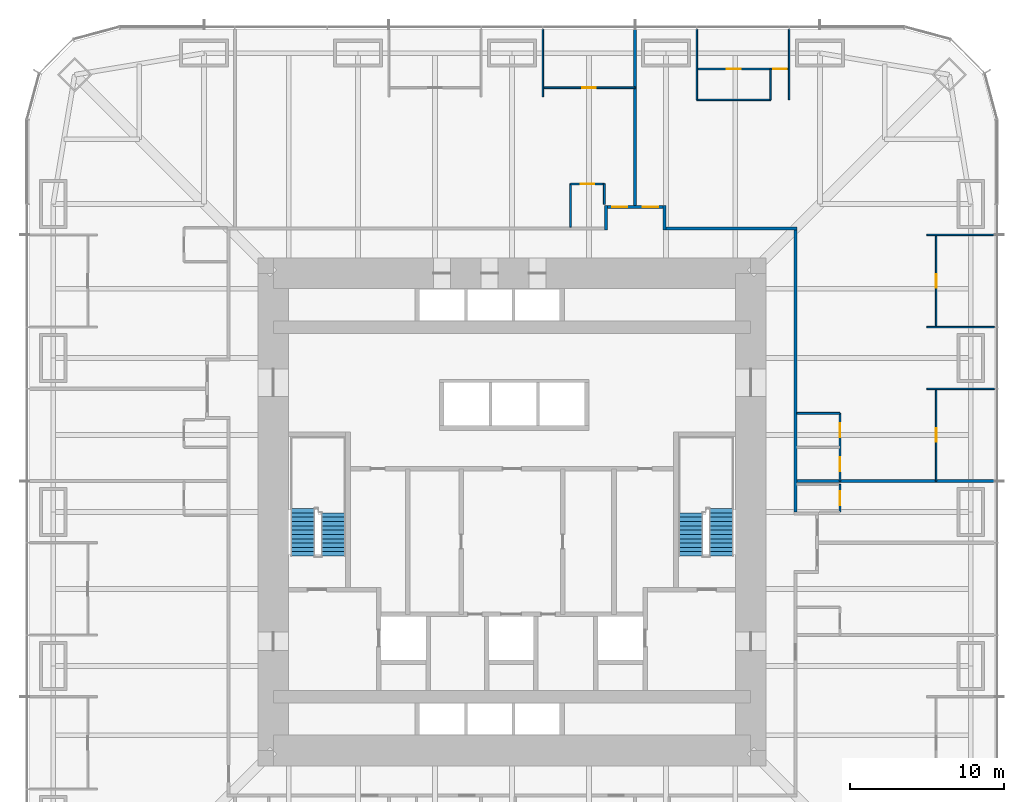
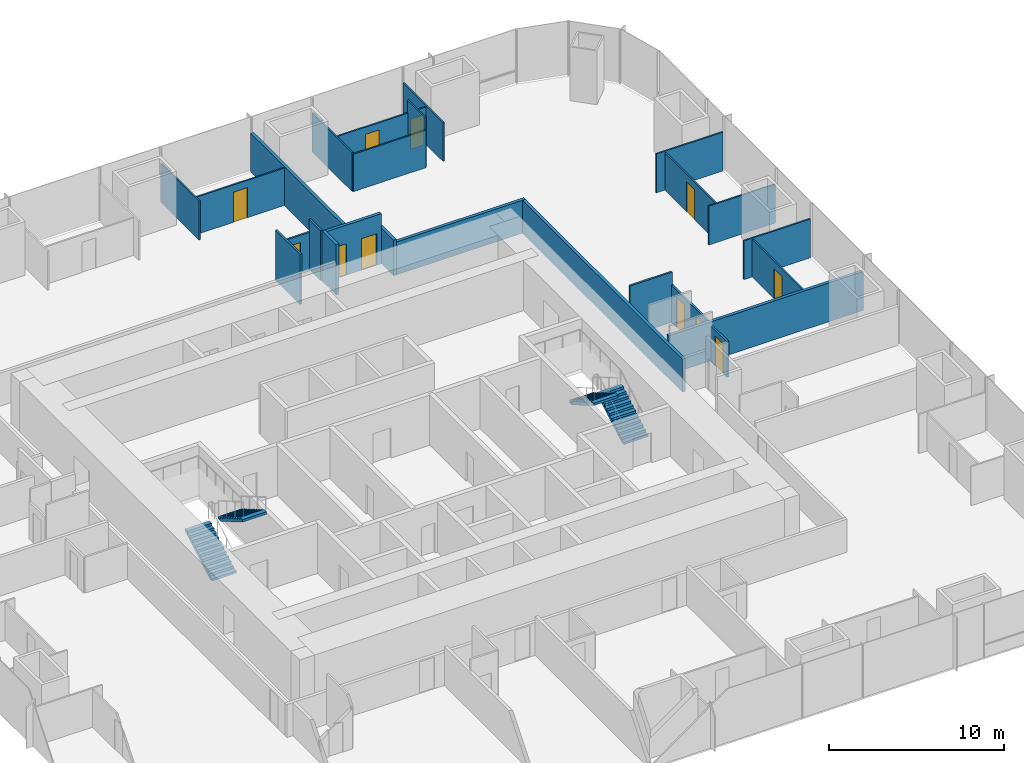
# One storey, part 15 of 16: 25 walls, 11 doors, 4 stair flights, 11 openings, 2 elements without a shape of their own.
"""IFC4 building model written with IfcOpenShell, lengths in metres."""

from ifc_helpers import new_model, si_unit, direction, frame, frame_2d, origin, place, context, subcontext, project, spatial, polyline, rectangle, outline, extrude, material, layer, layer_set, type_object, element, fill, aggregate, save


model = new_model("IFC4")

# Units and contexts
model_context = context("Model", 3, precision=1e-05, world=origin(), true_north=direction((0.0, 1.0)))
body_context = subcontext(model_context, "Body", "Model", "MODEL_VIEW")
ifc_project = project(units=[si_unit("LENGTHUNIT", "METRE"), si_unit("AREAUNIT", "SQUARE_METRE"), si_unit("VOLUMEUNIT", "CUBIC_METRE"), si_unit("PLANEANGLEUNIT", "RADIAN"), si_unit("MASSUNIT", "GRAM", prefix="KILO")], contexts=[model_context])

# Site, building, storey
site_placement = place(None, origin())
site = spatial("IfcSite", under=ifc_project, at=site_placement, CompositionType="ELEMENT")
building_placement = place(site_placement, origin())
building = spatial("IfcBuilding", under=site, at=building_placement, Name="Khuree Lantern Residences", CompositionType="ELEMENT")
storey_placement = place(building_placement, frame((0.0, 0.0, 62.25)))
storey = spatial("IfcBuildingStorey", under=building, at=storey_placement, Name="L15", CompositionType="ELEMENT", Elevation=62.25)

# Wall, opening, door
ifc_material_1 = material(Name="Moisture-resistant gypsum board on steel studs", Category="steel")
ifc_layer_1 = layer(ifc_material_1, 0.125)
ifc_layer_set_1 = layer_set([ifc_layer_1], Name="BATHROOM WALL BTW125")
wall_type_1 = type_object("IfcWallType", Name="BATHROOM WALL BTW125", PredefinedType="PARTITIONING", material=ifc_layer_set_1)
wall_1_placement = place(storey_placement, frame((21.300048828125, 0.0, 0.0), z_axis=(0.0, 0.0, 1.0), x_axis=(0.0, 1.0, 0.0)))
wall_1 = element("IfcWall", 1, at=wall_1_placement, inside=storey, type_object=wall_type_1, Name="L15 BATHROOM WALL 02", PredefinedType="PARTITIONING", context=body_context, shape_type="SweptSolid", body=[
    extrude(rectangle(XDim=1.800048828125, YDim=0.125, at=frame_2d((0.89990234375, 0.0))), origin(), (0.0, 0.0, 1.0), 2.491943359375),
])
opening_1_placement = place(wall_1_placement, frame((0.449951171875, 0.0, 0.0)))
opening_1 = element("IfcOpeningElement", 2, at=opening_1_placement, cuts=wall_1, Name="Opening 15-022", PredefinedType="OPENING", context=body_context, shape_type="SweptSolid", body=[
    extrude(rectangle(XDim=0.89990234375, YDim=2.10009765625, at=frame_2d((0.449951171875, 1.050048828125))), frame((0.0, 0.072509765625, 0.0), z_axis=(0.0, -1.0, 0.0), x_axis=(1.0, 0.0, 0.0)), (0.0, 0.0, 1.0), 0.14501953125),
])
ifc_material_2 = material(Name="Timber door leaf in hardwood frame", Category="wood")
door_type_1 = type_object("IfcDoorType", Name="BATHROOM DOOR 900X2100", OperationType="SINGLE_SWING_LEFT", PredefinedType="DOOR", material=ifc_material_2)
door_1_placement = place(opening_1_placement, origin())
door_1 = element("IfcDoor", 3, at=door_1_placement, inside=storey, type_object=door_type_1, Name="Bathroom door 15-022", OperationType="SINGLE_SWING_LEFT", OverallHeight=2.10009765625, OverallWidth=0.89990234375, PredefinedType="DOOR", context=body_context, shape_type="SweptSolid", body=[
    extrude(rectangle(XDim=0.89990234375, YDim=2.10009765625, at=frame_2d((0.449951171875, 1.050048828125))), frame((0.0, 0.02490234375, 0.0), z_axis=(0.0, -1.0, 0.0), x_axis=(1.0, 0.0, 0.0)), (0.0, 0.0, 1.0), 0.050048828125),
])
fill(opening_1, door_1)

# Wall, openings, doors
wall_2_placement = place(storey_placement, frame((21.300048828125, 2.0, 0.0), z_axis=(0.0, 0.0, 1.0), x_axis=(0.0, 1.0, 0.0)))
wall_2 = element("IfcWall", 4, at=wall_2_placement, inside=storey, type_object=wall_type_1, Name="L15 BATHROOM WALL 03", PredefinedType="PARTITIONING", context=body_context, shape_type="SweptSolid", body=[
    extrude(rectangle(XDim=4.39990234375, YDim=0.125, at=frame_2d((2.199951171875, 0.0))), origin(), (0.0, 0.0, 1.0), 2.610107421875),
])
opening_2_placement = place(wall_2_placement, frame((0.64990234375, 0.0, 0.0)))
opening_2 = element("IfcOpeningElement", 5, at=opening_2_placement, cuts=wall_2, Name="Opening 15-028", PredefinedType="OPENING", context=body_context, shape_type="SweptSolid", body=[
    extrude(rectangle(XDim=0.89990234375, YDim=2.10009765625, at=frame_2d((0.449951171875, 1.050048828125))), frame((0.0, 0.072509765625, 0.0), z_axis=(0.0, -1.0, 0.0), x_axis=(1.0, 0.0, 0.0)), (0.0, 0.0, 1.0), 0.14501953125),
])
opening_3_placement = place(wall_2_placement, frame((2.85009765625, 0.0, 0.0)))
opening_3 = element("IfcOpeningElement", 6, at=opening_3_placement, cuts=wall_2, Name="Opening 15-029", PredefinedType="OPENING", context=body_context, shape_type="SweptSolid", body=[
    extrude(rectangle(XDim=0.89990234375, YDim=2.10009765625, at=frame_2d((0.449951171875, 1.050048828125))), frame((0.0, 0.072509765625, 0.0), z_axis=(0.0, -1.0, 0.0), x_axis=(1.0, 0.0, 0.0)), (0.0, 0.0, 1.0), 0.14501953125),
])
door_2_placement = place(opening_2_placement, origin())
door_2 = element("IfcDoor", 7, at=door_2_placement, inside=storey, type_object=door_type_1, Name="Bathroom door 15-028", OperationType="SINGLE_SWING_LEFT", OverallHeight=2.10009765625, OverallWidth=0.89990234375, PredefinedType="DOOR", context=body_context, shape_type="SweptSolid", body=[
    extrude(rectangle(XDim=0.89990234375, YDim=2.10009765625, at=frame_2d((0.449951171875, 1.050048828125))), frame((0.0, 0.02490234375, 0.0), z_axis=(0.0, -1.0, 0.0), x_axis=(1.0, 0.0, 0.0)), (0.0, 0.0, 1.0), 0.050048828125),
])
fill(opening_2, door_2)
door_3_placement = place(opening_3_placement, origin())
door_3 = element("IfcDoor", 8, at=door_3_placement, inside=storey, type_object=door_type_1, Name="Bathroom door 15-029", OperationType="SINGLE_SWING_LEFT", OverallHeight=2.10009765625, OverallWidth=0.89990234375, PredefinedType="DOOR", context=body_context, shape_type="SweptSolid", body=[
    extrude(rectangle(XDim=0.89990234375, YDim=2.10009765625, at=frame_2d((0.449951171875, 1.050048828125))), frame((0.0, 0.02490234375, 0.0), z_axis=(0.0, -1.0, 0.0), x_axis=(1.0, 0.0, 0.0)), (0.0, 0.0, 1.0), 0.050048828125),
])
fill(opening_3, door_3)

# Wall
wall_3_placement = place(storey_placement, frame((18.5, 6.39990234375, 0.0), z_axis=(0.0, 0.0, 1.0), x_axis=(1.0, 0.0, 0.0)))
element("IfcWall", 9, at=wall_3_placement, inside=storey, type_object=wall_type_1, Name="L15 BATHROOM WALL 03", PredefinedType="PARTITIONING", context=body_context, shape_type="SweptSolid", body=[
    extrude(rectangle(XDim=2.800048828125, YDim=0.125, at=frame_2d((1.39990234375, 0.0))), origin(), (0.0, 0.0, 1.0), 3.5),
])

# Wall, opening, door
wall_4_placement = place(storey_placement, frame((6.0, 21.300048828125, 0.0), z_axis=(0.0, 0.0, 1.0), x_axis=(-1.0, 0.0, 0.0)))
wall_4 = element("IfcWall", 10, at=wall_4_placement, inside=storey, type_object=wall_type_1, Name="L15 BATHROOM WALL 04", PredefinedType="PARTITIONING", context=body_context, shape_type="SweptSolid", body=[
    extrude(rectangle(XDim=2.199951171875, YDim=0.125, at=frame_2d((1.10009765625, 0.0))), origin(), (0.0, 0.0, 1.0), 2.610107421875),
])
opening_4_placement = place(wall_4_placement, frame((0.64990234375, 0.0, 0.0)))
opening_4 = element("IfcOpeningElement", 11, at=opening_4_placement, cuts=wall_4, Name="Opening 15-033", PredefinedType="OPENING", context=body_context, shape_type="SweptSolid", body=[
    extrude(rectangle(XDim=0.89990234375, YDim=2.10009765625, at=frame_2d((0.449951171875, 1.050048828125))), frame((0.0, 0.072509765625, 0.0), z_axis=(0.0, -1.0, 0.0), x_axis=(1.0, 0.0, 0.0)), (0.0, 0.0, 1.0), 0.14501953125),
])
door_4_placement = place(opening_4_placement, origin())
door_4 = element("IfcDoor", 12, at=door_4_placement, inside=storey, type_object=door_type_1, Name="Bathroom door 15-033", OperationType="SINGLE_SWING_LEFT", OverallHeight=2.10009765625, OverallWidth=0.89990234375, PredefinedType="DOOR", context=body_context, shape_type="SweptSolid", body=[
    extrude(rectangle(XDim=0.89990234375, YDim=2.10009765625, at=frame_2d((0.449951171875, 1.050048828125))), frame((0.0, 0.02490234375, 0.0), z_axis=(0.0, -1.0, 0.0), x_axis=(1.0, 0.0, 0.0)), (0.0, 0.0, 1.0), 0.050048828125),
])
fill(opening_4, door_4)

# Walls
wall_5_placement = place(storey_placement, frame((6.0, 19.969970703125, 0.0), z_axis=(0.0, 0.0, 1.0), x_axis=(0.0, 1.0, 0.0)))
element("IfcWall", 13, at=wall_5_placement, inside=storey, type_object=wall_type_1, Name="L15 BATHROOM WALL 04", PredefinedType="PARTITIONING", context=body_context, shape_type="SweptSolid", body=[
    extrude(rectangle(XDim=1.330078125, YDim=0.125, at=frame_2d((0.6650390625, 0.0))), origin(), (0.0, 0.0, 1.0), 3.5),
])
wall_6_placement = place(storey_placement, frame((3.800048828125, 18.5, 0.0), z_axis=(0.0, 0.0, 1.0), x_axis=(0.0, 1.0, 0.0)))
element("IfcWall", 14, at=wall_6_placement, inside=storey, type_object=wall_type_1, Name="L15 BATHROOM WALL 04", PredefinedType="PARTITIONING", context=body_context, shape_type="SweptSolid", body=[
    extrude(rectangle(XDim=2.800048828125, YDim=0.125, at=frame_2d((1.39990234375, 0.0))), origin(), (0.0, 0.0, 1.0), 3.5),
])
ifc_material_3 = material(Name="Gypsum board on steel studs", Category="steel")
ifc_layer_2 = layer(ifc_material_3, 0.199951171875)
ifc_layer_set_2 = layer_set([ifc_layer_2], Name="CORRIDOR WALL CRW200 EI 60")
wall_type_2 = type_object("IfcWallType", Name="CORRIDOR WALL CRW200 EI 60", PredefinedType="PARTITIONING", material=ifc_layer_set_2)
wall_7_placement = place(storey_placement, frame((18.39990234375, 0.0, 0.0), z_axis=(0.0, 0.0, 1.0), x_axis=(0.0, 1.0, 0.0)))
element("IfcWall", 15, at=wall_7_placement, inside=storey, type_object=wall_type_2, Name="L15 CORRIDOR WALL EAST 2", PredefinedType="PARTITIONING", context=body_context, shape_type="SweptSolid", body=[
    extrude(rectangle(XDim=18.300048828125, YDim=0.199951171875, at=frame_2d((9.14990234375, 0.0))), origin(), (0.0, 0.0, 1.0), 2.300048828125),
])
wall_8_placement = place(storey_placement, frame((6.10009765625, 18.300048828125, 0.0), z_axis=(0.0, 0.0, 1.0), x_axis=(0.0, 1.0, 0.0)))
element("IfcWall", 16, at=wall_8_placement, inside=storey, type_object=wall_type_2, Name="L15 CORRIDOR ALCOVE WALL NORTH", PredefinedType="PARTITIONING", context=body_context, shape_type="SweptSolid", body=[
    extrude(rectangle(XDim=1.599853515625, YDim=0.199951171875, at=frame_2d((0.7998046875, 0.0))), origin(), (0.0, 0.0, 1.0), 3.5),
])
wall_9_placement = place(storey_placement, frame((9.89990234375, 18.300048828125, 0.0), z_axis=(0.0, 0.0, 1.0), x_axis=(0.0, 1.0, 0.0)))
element("IfcWall", 17, at=wall_9_placement, inside=storey, type_object=wall_type_2, Name="L15 CORRIDOR ALCOVE WALL NORTH", PredefinedType="PARTITIONING", context=body_context, shape_type="SweptSolid", body=[
    extrude(rectangle(XDim=1.599853515625, YDim=0.199951171875, at=frame_2d((0.7998046875, 0.0))), origin(), (0.0, 0.0, 1.0), 2.491943359375),
])

# Wall, openings, doors
wall_10_placement = place(storey_placement, frame((6.199951171875, 19.800048828125, 0.0), z_axis=(0.0, 0.0, 1.0), x_axis=(1.0, 0.0, 0.0)))
wall_10 = element("IfcWall", 18, at=wall_10_placement, inside=storey, type_object=wall_type_2, Name="L15 CORRIDOR ALCOVE WALL NORTH", PredefinedType="PARTITIONING", context=body_context, shape_type="SweptSolid", body=[
    extrude(rectangle(XDim=3.60009765625, YDim=0.199951171875, at=frame_2d((1.800048828125, 0.0))), origin(), (0.0, 0.0, 1.0), 3.5),
])
opening_5_placement = place(wall_10_placement, frame((2.300048828125, 0.0, 0.0)))
opening_5 = element("IfcOpeningElement", 19, at=opening_5_placement, cuts=wall_10, Name="Opening 15-030", PredefinedType="OPENING", context=body_context, shape_type="SweptSolid", body=[
    extrude(rectangle(XDim=1.0, YDim=2.199951171875, at=frame_2d((0.5, 1.10009765625))), frame((0.0, 0.10986328125, 0.0), z_axis=(0.0, -1.0, 0.0), x_axis=(1.0, 0.0, 0.0)), (0.0, 0.0, 1.0), 0.219970703125),
])
opening_6_placement = place(wall_10_placement, frame((0.300048828125, 0.0, 0.0)))
opening_6 = element("IfcOpeningElement", 20, at=opening_6_placement, cuts=wall_10, Name="Opening 15-034", PredefinedType="OPENING", context=body_context, shape_type="SweptSolid", body=[
    extrude(rectangle(XDim=1.0, YDim=2.199951171875, at=frame_2d((0.5, 1.10009765625))), frame((0.0, 0.10986328125, 0.0), z_axis=(0.0, -1.0, 0.0), x_axis=(1.0, 0.0, 0.0)), (0.0, 0.0, 1.0), 0.219970703125),
])
door_type_2 = type_object("IfcDoorType", Name="APARTMENT ENTRANCE DOOR 1000X2200 EI 30S", OperationType="SINGLE_SWING_LEFT", PredefinedType="DOOR", material=ifc_material_2)
door_5_placement = place(opening_5_placement, origin())
door_5 = element("IfcDoor", 21, at=door_5_placement, inside=storey, type_object=door_type_2, Name="Apartment 03 entrance door 15-030", OperationType="SINGLE_SWING_LEFT", OverallHeight=2.199951171875, OverallWidth=1.0, PredefinedType="DOOR", context=body_context, shape_type="SweptSolid", body=[
    extrude(rectangle(XDim=1.0, YDim=2.199951171875, at=frame_2d((0.5, 1.10009765625))), frame((0.0, 0.02490234375, 0.0), z_axis=(0.0, -1.0, 0.0), x_axis=(1.0, 0.0, 0.0)), (0.0, 0.0, 1.0), 0.050048828125),
])
fill(opening_5, door_5)
door_6_placement = place(opening_6_placement, origin())
door_6 = element("IfcDoor", 22, at=door_6_placement, inside=storey, type_object=door_type_2, Name="Apartment 04 entrance door 15-034", OperationType="SINGLE_SWING_LEFT", OverallHeight=2.199951171875, OverallWidth=1.0, PredefinedType="DOOR", context=body_context, shape_type="SweptSolid", body=[
    extrude(rectangle(XDim=1.0, YDim=2.199951171875, at=frame_2d((0.5, 1.10009765625))), frame((0.0, 0.02490234375, 0.0), z_axis=(0.0, -1.0, 0.0), x_axis=(1.0, 0.0, 0.0)), (0.0, 0.0, 1.0), 0.050048828125),
])
fill(opening_6, door_6)

# Walls
wall_11_placement = place(storey_placement, frame((10.0, 18.39990234375, 0.0), z_axis=(0.0, 0.0, 1.0), x_axis=(1.0, 0.0, 0.0)))
element("IfcWall", 23, at=wall_11_placement, inside=storey, type_object=wall_type_2, Name="L15 CORRIDOR WALL NORTH 2", PredefinedType="PARTITIONING", context=body_context, shape_type="SweptSolid", body=[
    extrude(rectangle(XDim=8.5, YDim=0.199951171875, at=frame_2d((4.25, 0.0))), origin(), (0.0, 0.0, 1.0), 2.300048828125),
])
ifc_layer_3 = layer(ifc_material_3, 0.199951171875)
ifc_layer_set_3 = layer_set([ifc_layer_3], Name="DEMISING WALL DMW200 EI 90")
wall_type_3 = type_object("IfcWallType", Name="DEMISING WALL DMW200 EI 90", PredefinedType="PARTITIONING", material=ifc_layer_set_3)
wall_12_placement = place(storey_placement, frame((18.5, 2.0, 0.0), z_axis=(0.0, 0.0, 1.0), x_axis=(1.0, 0.0, 0.0)))
element("IfcWall", 24, at=wall_12_placement, inside=storey, type_object=wall_type_3, Name="L15 DEMISING WALL 03", PredefinedType="PARTITIONING", context=body_context, shape_type="SweptSolid", body=[
    extrude(rectangle(XDim=12.85009765625, YDim=0.199951171875, at=frame_2d((6.425048828125, 0.0))), origin(), (0.0, 0.0, 1.0), 2.7099609375),
])
wall_13_placement = place(storey_placement, frame((8.0, 19.89990234375, 0.0), z_axis=(0.0, 0.0, 1.0), x_axis=(0.0, 1.0, 0.0)))
element("IfcWall", 25, at=wall_13_placement, inside=storey, type_object=wall_type_3, Name="L15 DEMISING WALL 04", PredefinedType="PARTITIONING", context=body_context, shape_type="SweptSolid", body=[
    extrude(rectangle(XDim=11.4501953125, YDim=0.199951171875, at=frame_2d((5.72509765625, 0.0))), origin(), (0.0, 0.0, 1.0), 2.7099609375),
])
ifc_layer_4 = layer(ifc_material_3, 0.10009765625)
ifc_layer_set_4 = layer_set([ifc_layer_4], Name="PARTITION PT100")
wall_type_4 = type_object("IfcWallType", Name="PARTITION PT100", PredefinedType="PARTITIONING", material=ifc_layer_set_4)
for number, where, z_axis, x_axis, name in (
    (26, (26.949951171875, 8.0, 0.0), (0.0, 0.0, 1.0), (1.0, 0.0, 0.0), "L15 PARTITION 03"),
    (27, (26.949951171875, 12.0, 0.0), (0.0, 0.0, 1.0), (1.0, 0.0, 0.0), "L15 PARTITION 03"),
    (28, (26.949951171875, 18.0, 0.0), (0.0, 0.0, 1.0), (1.0, 0.0, 0.0), "L15 PARTITION 03"),
):
    element("IfcWall", number, at=place(storey_placement, frame(where, z_axis=z_axis, x_axis=x_axis)), inside=storey, type_object=wall_type_4, Name=name, PredefinedType="PARTITIONING", context=body_context, shape_type="SweptSolid", body=[
        extrude(rectangle(XDim=4.400146484375, YDim=0.10009765625, at=frame_2d((2.2001953125, 0.0))), origin(), (0.0, 0.0, 1.0), 2.7099609375),
    ])
for number, where, z_axis, x_axis, name in (
    (29, (18.0, 26.7666015625, 0.0), (0.0, 0.0, 1.0), (0.0, 1.0, 0.0), "L15 PARTITION 03"),
    (30, (12.0, 26.7666015625, 0.0), (0.0, 0.0, 1.0), (0.0, 1.0, 0.0), "L15 PARTITION 03"),
):
    element("IfcWall", number, at=place(storey_placement, frame(where, z_axis=z_axis, x_axis=x_axis)), inside=storey, type_object=wall_type_4, Name=name, PredefinedType="PARTITIONING", context=body_context, shape_type="SweptSolid", body=[
        extrude(rectangle(XDim=4.58349609375, YDim=0.10009765625, at=frame_2d((2.291748046875, 0.0))), origin(), (0.0, 0.0, 1.0), 2.7099609375),
    ])
wall_14_placement = place(storey_placement, frame((2.0, 26.949951171875, 0.0), z_axis=(0.0, 0.0, 1.0), x_axis=(0.0, 1.0, 0.0)))
element("IfcWall", 31, at=wall_14_placement, inside=storey, type_object=wall_type_4, Name="L15 PARTITION 04", PredefinedType="PARTITIONING", context=body_context, shape_type="SweptSolid", body=[
    extrude(rectangle(XDim=4.400146484375, YDim=0.10009765625, at=frame_2d((2.2001953125, 0.0))), origin(), (0.0, 0.0, 1.0), 2.7099609375),
])

# Wall, opening, door
wall_15_placement = place(storey_placement, frame((27.550048828125, 2.0, 0.0), z_axis=(0.0, 0.0, 1.0), x_axis=(0.0, 1.0, 0.0)))
wall_15 = element("IfcWall", 32, at=wall_15_placement, inside=storey, type_object=wall_type_4, Name="L15 PARTITION 03", PredefinedType="PARTITIONING", context=body_context, shape_type="SweptSolid", body=[
    extrude(rectangle(XDim=6.0, YDim=0.10009765625, at=frame_2d((3.0, 0.0))), origin(), (0.0, 0.0, 1.0), 2.610107421875),
])
opening_7_placement = place(wall_15_placement, frame((2.550048828125, 0.0, 0.0)))
opening_7 = element("IfcOpeningElement", 33, at=opening_7_placement, cuts=wall_15, Name="Opening 15-024", PredefinedType="OPENING", context=body_context, shape_type="SweptSolid", body=[
    extrude(rectangle(XDim=0.89990234375, YDim=2.10009765625, at=frame_2d((0.449951171875, 1.050048828125))), frame((0.0, 0.06005859375, 0.0), z_axis=(0.0, -1.0, 0.0), x_axis=(1.0, 0.0, 0.0)), (0.0, 0.0, 1.0), 0.1201171875),
])
door_type_3 = type_object("IfcDoorType", Name="BEDROOM DOOR 900X2100", OperationType="SINGLE_SWING_LEFT", PredefinedType="DOOR", material=ifc_material_2)
door_7_placement = place(opening_7_placement, origin())
door_7 = element("IfcDoor", 34, at=door_7_placement, inside=storey, type_object=door_type_3, Name="Bedroom door 15-024", OperationType="SINGLE_SWING_LEFT", OverallHeight=2.10009765625, OverallWidth=0.89990234375, PredefinedType="DOOR", context=body_context, shape_type="SweptSolid", body=[
    extrude(rectangle(XDim=0.89990234375, YDim=2.10009765625, at=frame_2d((0.449951171875, 1.050048828125))), frame((0.0, 0.02490234375, 0.0), z_axis=(0.0, -1.0, 0.0), x_axis=(1.0, 0.0, 0.0)), (0.0, 0.0, 1.0), 0.050048828125),
])
fill(opening_7, door_7)

wall_16_placement = place(storey_placement, frame((27.550048828125, 12.0, 0.0), z_axis=(0.0, 0.0, 1.0), x_axis=(0.0, 1.0, 0.0)))
wall_16 = element("IfcWall", 35, at=wall_16_placement, inside=storey, type_object=wall_type_4, Name="L15 PARTITION 03", PredefinedType="PARTITIONING", context=body_context, shape_type="SweptSolid", body=[
    extrude(rectangle(XDim=6.0, YDim=0.10009765625, at=frame_2d((3.0, 0.0))), origin(), (0.0, 0.0, 1.0), 2.610107421875),
])
opening_8_placement = place(wall_16_placement, frame((2.550048828125, 0.0, 0.0)))
opening_8 = element("IfcOpeningElement", 36, at=opening_8_placement, cuts=wall_16, Name="Opening 15-025", PredefinedType="OPENING", context=body_context, shape_type="SweptSolid", body=[
    extrude(rectangle(XDim=0.89990234375, YDim=2.10009765625, at=frame_2d((0.449951171875, 1.050048828125))), frame((0.0, 0.06005859375, 0.0), z_axis=(0.0, -1.0, 0.0), x_axis=(1.0, 0.0, 0.0)), (0.0, 0.0, 1.0), 0.1201171875),
])
door_8_placement = place(opening_8_placement, origin())
door_8 = element("IfcDoor", 37, at=door_8_placement, inside=storey, type_object=door_type_3, Name="Bedroom door 15-025", OperationType="SINGLE_SWING_LEFT", OverallHeight=2.10009765625, OverallWidth=0.89990234375, PredefinedType="DOOR", context=body_context, shape_type="SweptSolid", body=[
    extrude(rectangle(XDim=0.89990234375, YDim=2.10009765625, at=frame_2d((0.449951171875, 1.050048828125))), frame((0.0, 0.02490234375, 0.0), z_axis=(0.0, -1.0, 0.0), x_axis=(1.0, 0.0, 0.0)), (0.0, 0.0, 1.0), 0.050048828125),
])
fill(opening_8, door_8)

# Wall, openings, doors
wall_17_placement = place(storey_placement, frame((18.0, 28.7666015625, 0.0), z_axis=(0.0, 0.0, 1.0), x_axis=(-1.0, 0.0, 0.0)))
wall_17 = element("IfcWall", 38, at=wall_17_placement, inside=storey, type_object=wall_type_4, Name="L15 PARTITION 03", PredefinedType="PARTITIONING", context=body_context, shape_type="SweptSolid", body=[
    extrude(rectangle(XDim=6.0, YDim=0.10009765625, at=frame_2d((3.0, 0.0))), origin(), (0.0, 0.0, 1.0), 2.610107421875),
])
opening_9_placement = place(wall_17_placement, frame((0.14990234375, 0.0, 0.0)))
opening_9 = element("IfcOpeningElement", 39, at=opening_9_placement, cuts=wall_17, Name="Opening 15-026", PredefinedType="OPENING", context=body_context, shape_type="SweptSolid", body=[
    extrude(rectangle(XDim=0.89990234375, YDim=2.10009765625, at=frame_2d((0.449951171875, 1.050048828125))), frame((0.0, 0.06005859375, 0.0), z_axis=(0.0, -1.0, 0.0), x_axis=(1.0, 0.0, 0.0)), (0.0, 0.0, 1.0), 0.1201171875),
])
opening_10_placement = place(wall_17_placement, frame((3.14990234375, 0.0, 0.0)))
opening_10 = element("IfcOpeningElement", 40, at=opening_10_placement, cuts=wall_17, Name="Opening 15-027", PredefinedType="OPENING", context=body_context, shape_type="SweptSolid", body=[
    extrude(rectangle(XDim=0.89990234375, YDim=2.10009765625, at=frame_2d((0.449951171875, 1.050048828125))), frame((0.0, 0.06005859375, 0.0), z_axis=(0.0, -1.0, 0.0), x_axis=(1.0, 0.0, 0.0)), (0.0, 0.0, 1.0), 0.1201171875),
])
door_9_placement = place(opening_9_placement, origin())
door_9 = element("IfcDoor", 41, at=door_9_placement, inside=storey, type_object=door_type_3, Name="Bedroom door 15-026", OperationType="SINGLE_SWING_LEFT", OverallHeight=2.10009765625, OverallWidth=0.89990234375, PredefinedType="DOOR", context=body_context, shape_type="SweptSolid", body=[
    extrude(rectangle(XDim=0.89990234375, YDim=2.10009765625, at=frame_2d((0.449951171875, 1.050048828125))), frame((0.0, 0.02490234375, 0.0), z_axis=(0.0, -1.0, 0.0), x_axis=(1.0, 0.0, 0.0)), (0.0, 0.0, 1.0), 0.050048828125),
])
fill(opening_9, door_9)
door_type_4 = type_object("IfcDoorType", Name="DOOR 900X2100", OperationType="SINGLE_SWING_LEFT", PredefinedType="DOOR", material=ifc_material_2)
door_10_placement = place(opening_10_placement, origin())
door_10 = element("IfcDoor", 42, at=door_10_placement, inside=storey, type_object=door_type_4, Name="Wardrobe door 15-027", OperationType="SINGLE_SWING_LEFT", OverallHeight=2.10009765625, OverallWidth=0.89990234375, PredefinedType="DOOR", context=body_context, shape_type="SweptSolid", body=[
    extrude(rectangle(XDim=0.89990234375, YDim=2.10009765625, at=frame_2d((0.449951171875, 1.050048828125))), frame((0.0, 0.02490234375, 0.0), z_axis=(0.0, -1.0, 0.0), x_axis=(1.0, 0.0, 0.0)), (0.0, 0.0, 1.0), 0.050048828125),
])
fill(opening_10, door_10)

# Walls
wall_18_placement = place(storey_placement, frame((16.800048828125, 26.7666015625, 0.0), z_axis=(0.0, 0.0, 1.0), x_axis=(0.0, 1.0, 0.0)))
element("IfcWall", 43, at=wall_18_placement, inside=storey, type_object=wall_type_4, Name="L15 PARTITION 03", PredefinedType="PARTITIONING", context=body_context, shape_type="SweptSolid", body=[
    extrude(rectangle(XDim=2.0, YDim=0.10009765625, at=frame_2d((1.0, 0.0))), origin(), (0.0, 0.0, 1.0), 3.5),
])
wall_19_placement = place(storey_placement, frame((16.800048828125, 26.7666015625, 0.0), z_axis=(0.0, 0.0, 1.0), x_axis=(-1.0, 0.0, 0.0)))
element("IfcWall", 44, at=wall_19_placement, inside=storey, type_object=wall_type_4, Name="L15 PARTITION 03", PredefinedType="PARTITIONING", context=body_context, shape_type="SweptSolid", body=[
    extrude(rectangle(XDim=4.800048828125, YDim=0.10009765625, at=frame_2d((2.39990234375, 0.0))), origin(), (0.0, 0.0, 1.0), 2.610107421875),
])

# Wall, opening, door
wall_20_placement = place(storey_placement, frame((8.0, 27.550048828125, 0.0), z_axis=(0.0, 0.0, 1.0), x_axis=(-1.0, 0.0, 0.0)))
wall_20 = element("IfcWall", 45, at=wall_20_placement, inside=storey, type_object=wall_type_4, Name="L15 PARTITION 04", PredefinedType="PARTITIONING", context=body_context, shape_type="SweptSolid", body=[
    extrude(rectangle(XDim=6.0, YDim=0.10009765625, at=frame_2d((3.0, 0.0))), origin(), (0.0, 0.0, 1.0), 2.610107421875),
])
opening_11_placement = place(wall_20_placement, frame((2.550048828125, 0.0, 0.0)))
opening_11 = element("IfcOpeningElement", 46, at=opening_11_placement, cuts=wall_20, Name="Opening 15-031", PredefinedType="OPENING", context=body_context, shape_type="SweptSolid", body=[
    extrude(rectangle(XDim=0.89990234375, YDim=2.10009765625, at=frame_2d((0.449951171875, 1.050048828125))), frame((0.0, 0.06005859375, 0.0), z_axis=(0.0, -1.0, 0.0), x_axis=(1.0, 0.0, 0.0)), (0.0, 0.0, 1.0), 0.1201171875),
])
door_11_placement = place(opening_11_placement, origin())
door_11 = element("IfcDoor", 47, at=door_11_placement, inside=storey, type_object=door_type_3, Name="Bedroom door 15-031", OperationType="SINGLE_SWING_LEFT", OverallHeight=2.10009765625, OverallWidth=0.89990234375, PredefinedType="DOOR", context=body_context, shape_type="SweptSolid", body=[
    extrude(rectangle(XDim=0.89990234375, YDim=2.10009765625, at=frame_2d((0.449951171875, 1.050048828125))), frame((0.0, 0.02490234375, 0.0), z_axis=(0.0, -1.0, 0.0), x_axis=(1.0, 0.0, 0.0)), (0.0, 0.0, 1.0), 0.050048828125),
])
fill(opening_11, door_11)

# Stair, stair flights
ifc_material_4 = material(Name="Concrete C40/50", Category="concrete")
stair_type = type_object("IfcStairType", Name="STAIR ST1 HALF TURN 3600", PredefinedType="HALF_TURN_STAIR", material=ifc_material_4)
stair_1_placement = place(storey_placement, origin())
stair_1 = element("IfcStair", 48, at=stair_1_placement, inside=storey, type_object=stair_type, Name="Stair ST1", PredefinedType="HALF_TURN_STAIR")
stair_flight_type = type_object("IfcStairFlightType", Name="STAIR FLIGHT SF1 1600", PredefinedType="STRAIGHT", material=ifc_material_4)
stair_flight_1_placement = place(storey_placement, frame((-13.60009765625, -2.860107421875, 0.0), z_axis=(0.0, 0.0, 1.0), x_axis=(0.0, 1.0, 0.0)))
stair_flight_1 = element("IfcStairFlight", 49, at=stair_flight_1_placement, type_object=stair_flight_type, Name="ST1 flight 1", NumberOfRisers=12, NumberOfTreads=11, PredefinedType="STRAIGHT", RiserHeight=0.163043478, TreadLength=0.28, context=body_context, shape_type="SweptSolid", body=[
    extrude(outline(polyline([(0.0, 0.0), (0.0, 0.1630859375), (0.280029296875, 0.1630859375), (0.280029296875, 0.326171875), (0.56005859375, 0.326171875), (0.56005859375, 0.489013671875), (0.840087890625, 0.489013671875), (0.840087890625, 0.652099609375), (1.1201171875, 0.652099609375), (1.1201171875, 0.815185546875), (1.39990234375, 0.815185546875), (1.39990234375, 0.978271484375), (1.679931640625, 0.978271484375), (1.679931640625, 1.141357421875), (1.9599609375, 1.141357421875), (1.9599609375, 1.304443359375), (2.239990234375, 1.304443359375), (2.239990234375, 1.46728515625), (2.52001953125, 1.46728515625), (2.52001953125, 1.63037109375), (2.800048828125, 1.63037109375), (2.800048828125, 1.79345703125), (3.080078125, 1.79345703125), (3.080078125, 1.95654296875), (3.080078125, 1.6201171875), (0.2978515625, 0.0), (0.0, 0.0)])), frame((0.0, 0.800048828125, 0.0), z_axis=(0.0, -1.0, 0.0), x_axis=(1.0, 0.0, 0.0)), (0.0, 0.0, 1.0), 1.60009765625),
])
stair_flight_2_placement = place(storey_placement, frame((-11.60009765625, -0.06005859375, 1.95654296875), z_axis=(0.0, 0.0, 1.0), x_axis=(0.0, -1.0, 0.0)))
stair_flight_2 = element("IfcStairFlight", 50, at=stair_flight_2_placement, type_object=stair_flight_type, Name="ST1 flight 2", NumberOfRisers=11, NumberOfTreads=10, PredefinedType="STRAIGHT", RiserHeight=0.163043478, TreadLength=0.28, context=body_context, shape_type="SweptSolid", body=[
    extrude(outline(polyline([(0.0, 0.0), (0.0, 0.1630859375), (0.280029296875, 0.1630859375), (0.280029296875, 0.326171875), (0.56005859375, 0.326171875), (0.56005859375, 0.489013671875), (0.840087890625, 0.489013671875), (0.840087890625, 0.652099609375), (1.1201171875, 0.652099609375), (1.1201171875, 0.815185546875), (1.39990234375, 0.815185546875), (1.39990234375, 0.978271484375), (1.679931640625, 0.978271484375), (1.679931640625, 1.141357421875), (1.9599609375, 1.141357421875), (1.9599609375, 1.304443359375), (2.239990234375, 1.304443359375), (2.239990234375, 1.46728515625), (2.52001953125, 1.46728515625), (2.52001953125, 1.63037109375), (2.800048828125, 1.63037109375), (2.800048828125, 1.79345703125), (2.800048828125, 1.45703125), (0.2978515625, 0.0), (0.0, 0.0)])), frame((0.0, 0.800048828125, 0.0), z_axis=(0.0, -1.0, 0.0), x_axis=(1.0, 0.0, 0.0)), (0.0, 0.0, 1.0), 1.60009765625),
])
aggregate(stair_1, [stair_flight_1, stair_flight_2])

stair_2_placement = place(storey_placement, origin())
stair_2 = element("IfcStair", 51, at=stair_2_placement, inside=storey, type_object=stair_type, Name="Stair ST2", PredefinedType="HALF_TURN_STAIR")
stair_flight_3_placement = place(storey_placement, frame((13.60009765625, -2.860107421875, 0.0), z_axis=(0.0, 0.0, 1.0), x_axis=(0.0, 1.0, 0.0)))
stair_flight_3 = element("IfcStairFlight", 52, at=stair_flight_3_placement, type_object=stair_flight_type, Name="ST2 flight 1", NumberOfRisers=12, NumberOfTreads=11, PredefinedType="STRAIGHT", RiserHeight=0.163043478, TreadLength=0.28, context=body_context, shape_type="SweptSolid", body=[
    extrude(outline(polyline([(0.0, 0.0), (0.0, 0.1630859375), (0.280029296875, 0.1630859375), (0.280029296875, 0.326171875), (0.56005859375, 0.326171875), (0.56005859375, 0.489013671875), (0.840087890625, 0.489013671875), (0.840087890625, 0.652099609375), (1.1201171875, 0.652099609375), (1.1201171875, 0.815185546875), (1.39990234375, 0.815185546875), (1.39990234375, 0.978271484375), (1.679931640625, 0.978271484375), (1.679931640625, 1.141357421875), (1.9599609375, 1.141357421875), (1.9599609375, 1.304443359375), (2.239990234375, 1.304443359375), (2.239990234375, 1.46728515625), (2.52001953125, 1.46728515625), (2.52001953125, 1.63037109375), (2.800048828125, 1.63037109375), (2.800048828125, 1.79345703125), (3.080078125, 1.79345703125), (3.080078125, 1.95654296875), (3.080078125, 1.6201171875), (0.2978515625, 0.0), (0.0, 0.0)])), frame((0.0, 0.800048828125, 0.0), z_axis=(0.0, -1.0, 0.0), x_axis=(1.0, 0.0, 0.0)), (0.0, 0.0, 1.0), 1.60009765625),
])
stair_flight_4_placement = place(storey_placement, frame((11.60009765625, -0.06005859375, 1.95654296875), z_axis=(0.0, 0.0, 1.0), x_axis=(0.0, -1.0, 0.0)))
stair_flight_4 = element("IfcStairFlight", 53, at=stair_flight_4_placement, type_object=stair_flight_type, Name="ST2 flight 2", NumberOfRisers=11, NumberOfTreads=10, PredefinedType="STRAIGHT", RiserHeight=0.163043478, TreadLength=0.28, context=body_context, shape_type="SweptSolid", body=[
    extrude(outline(polyline([(0.0, 0.0), (0.0, 0.1630859375), (0.280029296875, 0.1630859375), (0.280029296875, 0.326171875), (0.56005859375, 0.326171875), (0.56005859375, 0.489013671875), (0.840087890625, 0.489013671875), (0.840087890625, 0.652099609375), (1.1201171875, 0.652099609375), (1.1201171875, 0.815185546875), (1.39990234375, 0.815185546875), (1.39990234375, 0.978271484375), (1.679931640625, 0.978271484375), (1.679931640625, 1.141357421875), (1.9599609375, 1.141357421875), (1.9599609375, 1.304443359375), (2.239990234375, 1.304443359375), (2.239990234375, 1.46728515625), (2.52001953125, 1.46728515625), (2.52001953125, 1.63037109375), (2.800048828125, 1.63037109375), (2.800048828125, 1.79345703125), (2.800048828125, 1.45703125), (0.2978515625, 0.0), (0.0, 0.0)])), frame((0.0, 0.800048828125, 0.0), z_axis=(0.0, -1.0, 0.0), x_axis=(1.0, 0.0, 0.0)), (0.0, 0.0, 1.0), 1.60009765625),
])
aggregate(stair_2, [stair_flight_3, stair_flight_4])

save(model, "model.ifc")
